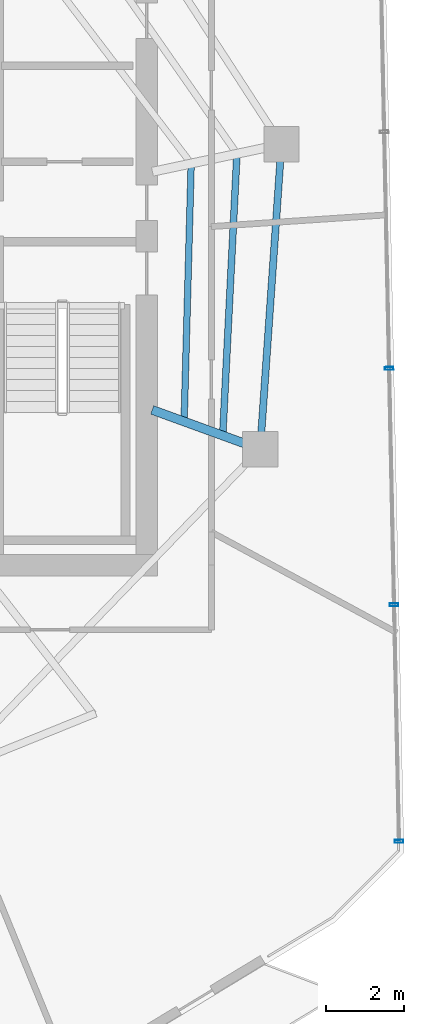
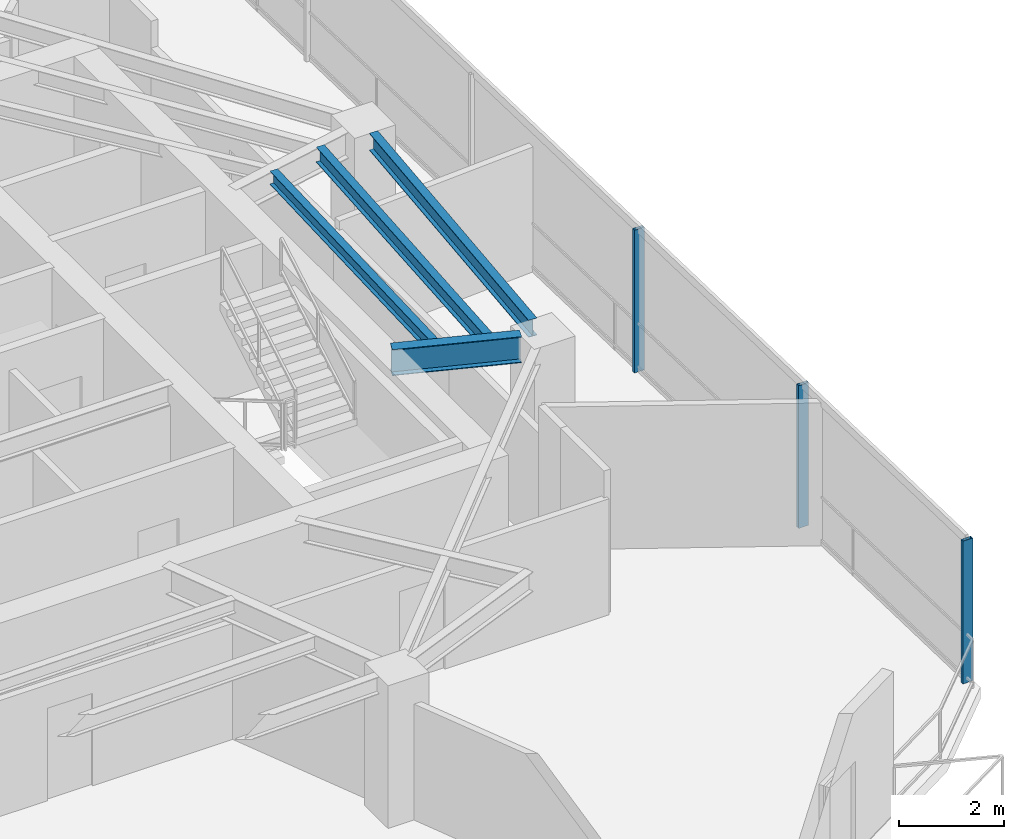
# One storey, part 7 of 19: 4 beams, 3 members, 1 element without a shape of its own.
"""IFC4 building model written with IfcOpenShell, lengths in metres."""

from ifc_helpers import new_model, si_unit, direction, frame, origin, origin_2d, place, context, subcontext, project, spatial, hollow_rectangle, i_section, extrude, material, layer, layer_set, material_profile, profile_set, type_object, element, aggregate, save


model = new_model("IFC4")

# Units and contexts
model_context = context("Model", 3, precision=1e-05, world=origin(), true_north=direction((0.0, 1.0)))
body_context = subcontext(model_context, "Body", "Model", "MODEL_VIEW")
ifc_project = project(units=[si_unit("LENGTHUNIT", "METRE"), si_unit("AREAUNIT", "SQUARE_METRE"), si_unit("VOLUMEUNIT", "CUBIC_METRE"), si_unit("PLANEANGLEUNIT", "RADIAN"), si_unit("MASSUNIT", "GRAM", prefix="KILO")], contexts=[model_context])

# Site, building, storey
site_placement = place(None, origin())
site = spatial("IfcSite", under=ifc_project, at=site_placement, CompositionType="ELEMENT")
building_placement = place(site_placement, origin())
building = spatial("IfcBuilding", under=site, at=building_placement, Name="Qarnah Convention Tower", CompositionType="ELEMENT")
storey_placement = place(building_placement, frame((0.0, 0.0, 184.199951171875)))
storey = spatial("IfcBuildingStorey", under=building, at=storey_placement, Name="L49", CompositionType="ELEMENT", Elevation=184.199951171875)

# Beams
ifc_material_1 = material(Name="Structural steel S355JR", Category="steel")
ifc_material_profile_1 = material_profile(ifc_material_1, i_section(OverallWidth=0.166015625, OverallDepth=0.31201171875, WebThickness=0.007080078125, FlangeThickness=0.010986328125, at=origin_2d()), Name="W310X45")
ifc_profile_set_1 = profile_set([ifc_material_profile_1], Name="Structural steel S355JR")
beam_type_1 = type_object("IfcBeamType", Name="BM-JST-W310", PredefinedType="JOIST", material=ifc_profile_set_1)
beam_1_placement = place(storey_placement, frame((48.55810546875, 22.35595703125, 3.1640625), z_axis=(0.027429745352, 0.999623733747, 0.0), x_axis=(-0.999623733747, 0.027429745352, 0.0)))
element("IfcBeam", 1, at=beam_1_placement, inside=storey, type_object=beam_type_1, Name="L49 joist BM-L49-IJST-09", PredefinedType="JOIST", context=body_context, shape_type="SweptSolid", body=[
    extrude(i_section(OverallWidth=0.166015625, OverallDepth=0.31201171875, WebThickness=0.007080078125, FlangeThickness=0.010986328125, at=origin_2d()), origin(), (0.0, 0.0, 1.0), 6.408447265625),
])
ifc_material_profile_2 = material_profile(ifc_material_1, i_section(OverallWidth=0.172119140625, OverallDepth=0.35595703125, WebThickness=0.007080078125, FlangeThickness=0.011962890625, at=origin_2d()), Name="W360X51")
ifc_profile_set_2 = profile_set([ifc_material_profile_2], Name="Structural steel S355JR")
beam_type_2 = type_object("IfcBeamType", Name="BM-JST-W360", PredefinedType="JOIST", material=ifc_profile_set_2)
beam_2_placement = place(storey_placement, frame((49.5458984375, 21.998046875, 3.14208984375), z_axis=(0.050414487477, 0.998728381219, 0.0), x_axis=(-0.998728381219, 0.050414487477, 0.0)))
element("IfcBeam", 2, at=beam_2_placement, inside=storey, type_object=beam_type_2, Name="L49 joist BM-L49-SJST-09", PredefinedType="JOIST", context=body_context, shape_type="SweptSolid", body=[
    extrude(i_section(OverallWidth=0.172119140625, OverallDepth=0.35595703125, WebThickness=0.007080078125, FlangeThickness=0.011962890625, at=origin_2d()), origin(), (0.0, 0.0, 1.0), 7.02197265625),
])
ifc_material_profile_3 = material_profile(ifc_material_1, i_section(OverallWidth=0.22802734375, OverallDepth=0.60791015625, WebThickness=0.010986328125, FlangeThickness=0.01708984375, at=origin_2d()), Name="W610X113")
ifc_profile_set_3 = profile_set([ifc_material_profile_3], Name="Structural steel S355JR")
beam_type_3 = type_object("IfcBeamType", Name="BM-RAD-W610B", PredefinedType="BEAM", material=ifc_profile_set_3)
beam_3_placement = place(storey_placement, frame((47.740966796875, 22.56298828125, 3.01611328125), z_axis=(0.939707956932, -0.341978004671, 0.0), x_axis=(0.341978004671, 0.939707956932, 0.0)))
element("IfcBeam", 3, at=beam_3_placement, inside=storey, type_object=beam_type_3, Name="L49 beam BM-L49-RAD-09", PredefinedType="BEAM", context=body_context, shape_type="SweptSolid", body=[
    extrude(i_section(OverallWidth=0.22802734375, OverallDepth=0.60791015625, WebThickness=0.010986328125, FlangeThickness=0.01708984375, at=origin_2d()), origin(), (0.0, 0.0, 1.0), 2.5029296875),
])
ifc_material_profile_4 = material_profile(ifc_material_1, i_section(OverallWidth=0.179931640625, OverallDepth=0.39990234375, WebThickness=0.009033203125, FlangeThickness=0.013916015625, at=origin_2d()), Name="IPE400")
ifc_profile_set_4 = profile_set([ifc_material_profile_4], Name="Structural steel S355JR")
beam_type_4 = type_object("IfcBeamType", Name="BM-SPN-IPE400", PredefinedType="SPANDREL", material=ifc_profile_set_4)
beam_4_placement = place(storey_placement, frame((50.528076171875, 21.9990234375, 3.1201171875), z_axis=(0.069635000818, 0.997572537042, 0.0), x_axis=(-0.997572537042, 0.069635000818, 0.0)))
element("IfcBeam", 4, at=beam_4_placement, inside=storey, type_object=beam_type_4, Name="L49 spandrel BM-L49-SPN-09", PredefinedType="SPANDREL", context=body_context, shape_type="SweptSolid", body=[
    extrude(i_section(OverallWidth=0.179931640625, OverallDepth=0.39990234375, WebThickness=0.009033203125, FlangeThickness=0.013916015625, at=origin_2d()), origin(), (0.0, 0.0, 1.0), 6.9208984375),
])

# Curtain wall, members
ifc_material_2 = material(Name="Tempered Low-E dark glass", Category="glass")
ifc_layer = layer(ifc_material_2, 0.174072265625)
ifc_layer_set = layer_set([ifc_layer], Name="Tempered Low-E dark glass")
curtain_wall_type = type_object("IfcCurtainWallType", Name="CWS-04", PredefinedType="NOTDEFINED", material=ifc_layer_set)
curtain_wall_placement = place(storey_placement, origin())
curtain_wall = element("IfcCurtainWall", 5, at=curtain_wall_placement, inside=storey, type_object=curtain_wall_type, Name="L49 unitised curtain wall CW-L49-F1", PredefinedType="NOTDEFINED")
ifc_material_3 = material(Name="Black anodised aluminium", Category="aluminium")
ifc_material_profile_5 = material_profile(ifc_material_3, hollow_rectangle(XDim=0.074951171875, YDim=0.219970703125, WallThickness=0.0048828125, at=origin_2d()), Name="MUL-75X220")
ifc_profile_set_5 = profile_set([ifc_material_profile_5], Name="Black anodised aluminium")
member_type = type_object("IfcMemberType", Name="MUL-T4", PredefinedType="MULLION", material=ifc_profile_set_5)
member_1_placement = place(storey_placement, frame((53.790283203125, 23.622802734375, 0.0), z_axis=(0.0, 0.0, 1.0), x_axis=(0.020935038759, -0.99978083806, 0.0)))
member_1 = element("IfcMember", 6, at=member_1_placement, type_object=member_type, Name="CW-L49-F1 mullion 4", PredefinedType="MULLION", context=body_context, shape_type="SweptSolid", body=[
    extrude(hollow_rectangle(XDim=0.074951171875, YDim=0.219970703125, WallThickness=0.0048828125, at=origin_2d()), origin(), (0.0, 0.0, 1.0), 3.320068359375),
])
member_2_placement = place(storey_placement, frame((53.91650390625, 17.58642578125, 0.0), z_axis=(0.0, 0.0, 1.0), x_axis=(0.020935038759, -0.99978083806, 0.0)))
member_2 = element("IfcMember", 7, at=member_2_placement, type_object=member_type, Name="CW-L49-F1 mullion 5", PredefinedType="MULLION", context=body_context, shape_type="SweptSolid", body=[
    extrude(hollow_rectangle(XDim=0.074951171875, YDim=0.219970703125, WallThickness=0.0048828125, at=origin_2d()), origin(), (0.0, 0.0, 1.0), 3.320068359375),
])
member_3_placement = place(storey_placement, frame((54.04296875, 11.550048828125, 0.0), z_axis=(0.0, 0.0, 1.0), x_axis=(0.020935038759, -0.99978083806, 0.0)))
member_3 = element("IfcMember", 8, at=member_3_placement, type_object=member_type, Name="CW-L49-F1 mullion 6", PredefinedType="MULLION", context=body_context, shape_type="SweptSolid", body=[
    extrude(hollow_rectangle(XDim=0.074951171875, YDim=0.219970703125, WallThickness=0.0048828125, at=origin_2d()), origin(), (0.0, 0.0, 1.0), 3.320068359375),
])
aggregate(curtain_wall, [member_1, member_2, member_3])

save(model, "model.ifc")
